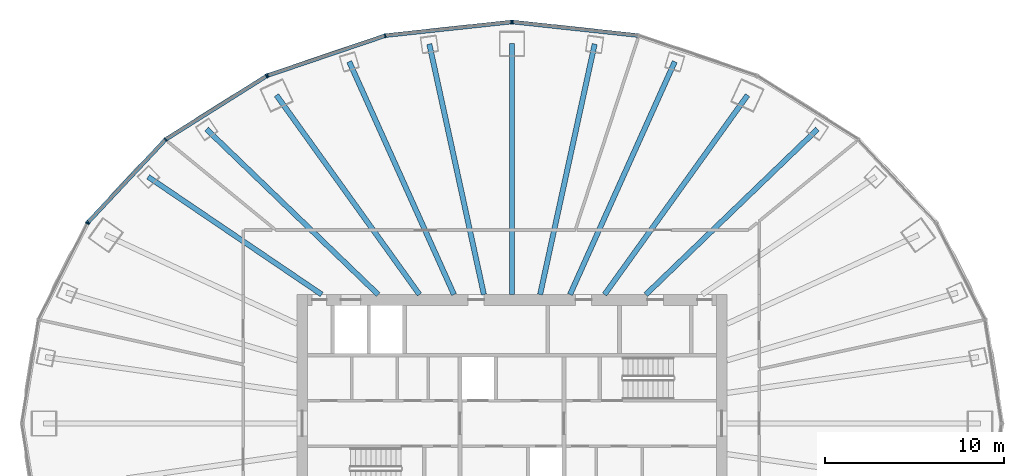
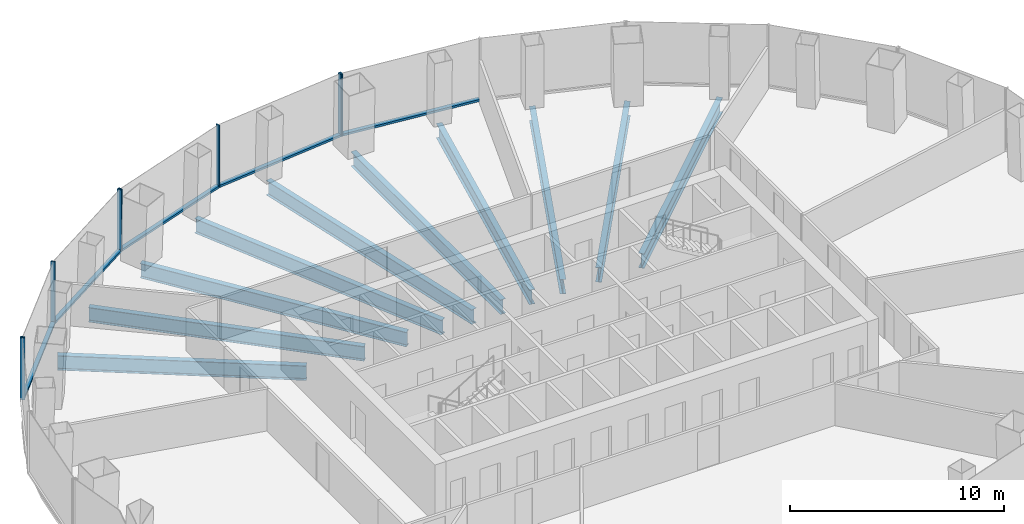
# One storey, part 5 of 11: 13 members, 10 beams, 4 elements without a shape of their own.
"""IFC4 building model written with IfcOpenShell, lengths in metres."""

import ifcopenshell
import ifcopenshell.guid

model = None  # the IFC model being written
_history = None  # IfcOwnerHistory: only IFC2X3 demands one
_inside = {}  # id of a spatial element -> (the spatial element, [elements in it])
_under = {}  # id of a project, library or spatial element -> (it, [spatial elements below it])
_declared = {}  # id of a project -> (the project, [libraries it declares])
_typed = {}  # id of a type object -> (the type object, [elements of that type])
_made_of = {}  # id of a material, layer set ... -> (it, [elements and type objects made of it])


def new_model(schema):
    """Start an empty IFC model of exactly this schema.

    Asked for "IFC4X3", IfcOpenShell would pick the latest addendum, in which some entities
    have other attributes; the version numbers below select the first issue.
    IFC2X3 requires an IfcOwnerHistory on every rooted entity: one is made here for all.
    """
    global model, _history
    if schema == "IFC4X3":
        model = ifcopenshell.file(schema_version=(4, 3, 0, 0))
    else:
        model = ifcopenshell.file(schema=schema)
    _inside.clear()
    _under.clear()
    _declared.clear()
    _typed.clear()
    _made_of.clear()
    _history = None
    if model.schema == "IFC2X3":
        org = make("IfcOrganization", Name="unknown")
        user = make(
            "IfcPersonAndOrganization",
            ThePerson=make("IfcPerson", FamilyName="unknown"),
            TheOrganization=org,
        )
        app = make(
            "IfcApplication",
            ApplicationDeveloper=org,
            Version="unknown",
            ApplicationFullName="unknown",
            ApplicationIdentifier="unknown",
        )
        _history = make(
            "IfcOwnerHistory",
            OwningUser=user,
            OwningApplication=app,
            ChangeAction="ADDED",
            CreationDate=0,
        )
    return model


def make(cls, **values):
    """One entity of the class cls with the attributes given. An attribute that is None is left unset."""
    return model.create_entity(
        cls, **{name: value for name, value in values.items() if value is not None}
    )


def rooted(cls, **values):
    """An entity with a GlobalId (a new one), such as an element, a storey or a relation."""
    return make(cls, GlobalId=ifcopenshell.guid.new(), OwnerHistory=_history, **values)


def si_unit(unit_type, name, prefix=None):
    """IfcSIUnit, for example si_unit("LENGTHUNIT", "METRE", prefix="MILLI")."""
    return make("IfcSIUnit", UnitType=unit_type, Prefix=prefix, Name=name)


def assignment(units):
    """IfcUnitAssignment: the units of a project."""
    return None if units is None else make("IfcUnitAssignment", Units=units)


def point(xyz):
    """IfcCartesianPoint."""
    return None if xyz is None else make("IfcCartesianPoint", Coordinates=xyz)


def direction(xyz):
    """IfcDirection."""
    return None if xyz is None else make("IfcDirection", DirectionRatios=xyz)


def frame(location, z_axis=None, x_axis=None):
    """IfcAxis2Placement3D, a coordinate frame: its origin and axes. An axis left out is left unset."""
    return make(
        "IfcAxis2Placement3D",
        Location=point(location),
        Axis=direction(z_axis),
        RefDirection=direction(x_axis),
    )


def frame_2d(location, x_axis=None):
    """IfcAxis2Placement2D, a coordinate frame in the plane: its origin and x axis."""
    return make(
        "IfcAxis2Placement2D", Location=point(location), RefDirection=direction(x_axis)
    )


def origin():
    """The frame at (0, 0, 0) with its axes left unset."""
    return frame((0.0, 0.0, 0.0))


def origin_2d():
    """The frame at (0, 0) in the plane with its x axis left unset."""
    return frame_2d((0.0, 0.0))


def place(relative_to, where):
    """IfcLocalPlacement: puts the frame where relative to a parent placement (None: the world)."""
    return make(
        "IfcLocalPlacement", PlacementRelTo=relative_to, RelativePlacement=where
    )


def context(
    kind, dimensions, precision=None, world=None, true_north=None, identifier=None
):
    """IfcGeometricRepresentationContext, for example the 3D "Model" context."""
    return make(
        "IfcGeometricRepresentationContext",
        ContextIdentifier=identifier,
        ContextType=kind,
        CoordinateSpaceDimension=dimensions,
        Precision=precision,
        WorldCoordinateSystem=world,
        TrueNorth=true_north,
    )


def subcontext(parent, identifier, kind, view, scale=None):
    """IfcGeometricRepresentationSubContext, for example "Body" below "Model"."""
    return make(
        "IfcGeometricRepresentationSubContext",
        ContextIdentifier=identifier,
        ContextType=kind,
        ParentContext=parent,
        TargetScale=scale,
        TargetView=view,
    )


def project(units=None, contexts=None):
    """IfcProject with its units and contexts."""
    return rooted(
        "IfcProject",
        Name="project",
        RepresentationContexts=contexts,
        UnitsInContext=assignment(units),
    )


def spatial(cls, under=None, at=None, **own):
    """A site, building, storey or space (cls), placed at a placement, below another one or the project."""
    s = rooted(cls, ObjectPlacement=at, **own)
    if under is not None:
        _under.setdefault(under.id(), (under, []))[1].append(s)
    return s


def profile(cls, at=None, kind="AREA", **sizes):
    """A parametric profile (cls). Its sizes go by their IFC names, for example OverallWidth=200.0."""
    return make(cls, ProfileType=kind, Position=at, **sizes)


def rectangle(**sizes):
    """IfcRectangleProfileDef."""
    return profile("IfcRectangleProfileDef", **sizes)


def i_section(**sizes):
    """IfcIShapeProfileDef."""
    return profile("IfcIShapeProfileDef", **sizes)


def extrude(swept, where, along, depth):
    """IfcExtrudedAreaSolid: the profile swept, set in the frame where, extruded along a direction by depth."""
    return make(
        "IfcExtrudedAreaSolid",
        SweptArea=swept,
        Position=where,
        ExtrudedDirection=direction(along),
        Depth=depth,
    )


def shape(context_of_items, identifier, shape_type, items):
    """IfcShapeRepresentation: the items that make up one representation, for example the "Body"."""
    return make(
        "IfcShapeRepresentation",
        ContextOfItems=context_of_items,
        RepresentationIdentifier=identifier,
        RepresentationType=shape_type,
        Items=items,
    )


def material(Name=None, Category=None):
    """IfcMaterial."""
    return make("IfcMaterial", Name=Name, Category=Category)


def layer(
    of_material, thickness, ventilated=None, Name=None, Category=None, Priority=None
):
    """IfcMaterialLayer: one layer of a wall or slab, of a material (None: an air gap)."""
    return make(
        "IfcMaterialLayer",
        Material=of_material,
        LayerThickness=thickness,
        IsVentilated=ventilated,
        Name=Name,
        Category=Category,
        Priority=Priority,
    )


def layer_set(layers, Name=None):
    """IfcMaterialLayerSet."""
    return make("IfcMaterialLayerSet", MaterialLayers=layers, LayerSetName=Name)


def material_profile(
    of_material, cross_section, Name=None, Category=None, Priority=None
):
    """IfcMaterialProfile: a cross section and its material."""
    return make(
        "IfcMaterialProfile",
        Name=Name,
        Material=of_material,
        Profile=cross_section,
        Priority=Priority,
        Category=Category,
    )


def profile_set(profiles, Name=None, composite=None):
    """IfcMaterialProfileSet."""
    return make(
        "IfcMaterialProfileSet",
        Name=Name,
        MaterialProfiles=profiles,
        CompositeProfile=composite,
    )


def made_of(thing, what):
    """Note that an element or type object is made of a material, layer set ...; save() writes the relation."""
    if what is not None:
        _made_of.setdefault(what.id(), (what, []))[1].append(thing)
    return thing


def type_object(cls, material=None, **own):
    """A type object (cls), such as IfcWallType, which elements share."""
    return made_of(rooted(cls, **own), material)


def element(
    cls,
    number,
    at=None,
    inside=None,
    cuts=None,
    type_object=None,
    material=None,
    context=None,
    identifier="Body",
    shape_type=None,
    held_by="IfcProductDefinitionShape",
    body=None,
    shapes=None,
    **own,
):
    """One element of the class cls, such as IfcWall. Its Tag is "e" and its number.

    at: its placement. inside: the storey or other place that contains it. cuts: it is an
    opening in that element (IfcRelVoidsElement). A single representation is given by context,
    identifier, shape_type and body (its items); several are given by shapes. held_by: the class
    of the entity that holds the representations. save() writes the other relations.
    """
    e = rooted(cls, Tag="e%d" % number, ObjectPlacement=at, **own)
    if body is not None:
        shapes = [shape(context, identifier, shape_type, body)]
    if shapes is not None:
        e.Representation = make(held_by, Representations=shapes)
    if inside is not None:
        _inside.setdefault(inside.id(), (inside, []))[1].append(e)
    if cuts is not None:
        rooted(
            "IfcRelVoidsElement", RelatingBuildingElement=cuts, RelatedOpeningElement=e
        )
    if type_object is not None:
        _typed.setdefault(type_object.id(), (type_object, []))[1].append(e)
    return made_of(e, material)


def aggregate(whole, parts):
    """IfcRelAggregates: a whole, such as a stair, and the parts it consists of."""
    return rooted("IfcRelAggregates", RelatingObject=whole, RelatedObjects=parts)


def save(model, path):
    """Write the relations noted so far, then the file.

    IfcRelAggregates (storeys below a building ...), IfcRelContainedInSpatialStructure (elements
    in a storey), IfcRelDefinesByType, IfcRelAssociatesMaterial and IfcRelDeclares: one each for
    every whole, place, type object, material and project.
    """
    for whole, parts in _under.values():
        aggregate(whole, parts)
    for where, things in _inside.values():
        rooted(
            "IfcRelContainedInSpatialStructure",
            RelatedElements=things,
            RelatingStructure=where,
        )
    for kind, things in _typed.values():
        rooted("IfcRelDefinesByType", RelatedObjects=things, RelatingType=kind)
    for what, things in _made_of.values():
        rooted("IfcRelAssociatesMaterial", RelatedObjects=things, RelatingMaterial=what)
    for by, libraries in _declared.values():
        rooted("IfcRelDeclares", RelatingContext=by, RelatedDefinitions=libraries)
    model.write(path)


model = new_model("IFC4")

# Units and contexts
model_context = context("Model", 3, precision=1e-05, world=origin(), true_north=direction((0.0, 1.0)))
body_context = subcontext(model_context, "Body", "Model", "MODEL_VIEW")
ifc_project = project(units=[si_unit("LENGTHUNIT", "METRE"), si_unit("AREAUNIT", "SQUARE_METRE"), si_unit("VOLUMEUNIT", "CUBIC_METRE"), si_unit("PLANEANGLEUNIT", "RADIAN"), si_unit("MASSUNIT", "GRAM", prefix="KILO")], contexts=[model_context])

# Site, building, storey
site_placement = place(None, origin())
site = spatial("IfcSite", under=ifc_project, at=site_placement, CompositionType="ELEMENT")
building_placement = place(site_placement, origin())
building = spatial("IfcBuilding", under=site, at=building_placement, Name="Siaravel Broadcast Tower", CompositionType="ELEMENT")
storey_placement = place(building_placement, frame((0.0, 0.0, 66.699951171875)))
storey = spatial("IfcBuildingStorey", under=building, at=storey_placement, Name="L15", CompositionType="ELEMENT", Elevation=66.699951171875)

# Beams
ifc_material_1 = material(Name="Steel S355", Category="steel")
ifc_material_profile_1 = material_profile(ifc_material_1, i_section(OverallWidth=0.291748046875, OverallDepth=0.8349609375, WebThickness=0.013916015625, FlangeThickness=0.018798828125, FilletRadius=0.017822265625, at=origin_2d()))
ifc_profile_set_1 = profile_set([ifc_material_profile_1], Name="Steel S355")
beam_type = type_object("IfcBeamType", Name="BM-UB 838x292x176", PredefinedType="BEAM", material=ifc_profile_set_1)
beam_1_placement = place(storey_placement, frame((17.052490234375, 16.42919921875, -0.5673828125), z_axis=(-0.720143916, -0.693824718, 0.0), x_axis=(0.693824718, -0.720143916, 0.0)))
element("IfcBeam", 1, at=beam_1_placement, inside=storey, type_object=beam_type, Name="Radial beam RB06", PredefinedType="BEAM", context=body_context, shape_type="SweptSolid", body=[
    extrude(i_section(OverallWidth=0.291748046875, OverallDepth=0.8349609375, WebThickness=0.013916015625, FlangeThickness=0.018798828125, FilletRadius=0.017822265625, at=origin_2d()), origin(), (0.0, 0.0, 1.0), 13.302001953125),
])
beam_2_placement = place(storey_placement, frame((13.146484375, 18.324462890625, -0.5673828125), z_axis=(-0.582923743, -0.812526867, 0.0), x_axis=(0.812526867, -0.582923743, 0.0)))
element("IfcBeam", 2, at=beam_2_placement, inside=storey, type_object=beam_type, Name="Radial beam RB07", PredefinedType="BEAM", context=body_context, shape_type="SweptSolid", body=[
    extrude(i_section(OverallWidth=0.291748046875, OverallDepth=0.8349609375, WebThickness=0.013916015625, FlangeThickness=0.018798828125, FilletRadius=0.017822265625, at=origin_2d()), origin(), (0.0, 0.0, 1.0), 13.691162109375),
])
beam_3_placement = place(storey_placement, frame((9.0859375, 20.195556640625, -0.5673828125), z_axis=(-0.410286316, -0.911956764, 0.0), x_axis=(0.911956764, -0.410286316, 0.0)))
element("IfcBeam", 3, at=beam_3_placement, inside=storey, type_object=beam_type, Name="Radial beam RB08", PredefinedType="BEAM", context=body_context, shape_type="SweptSolid", body=[
    extrude(i_section(OverallWidth=0.291748046875, OverallDepth=0.8349609375, WebThickness=0.013916015625, FlangeThickness=0.018798828125, FilletRadius=0.017822265625, at=origin_2d()), origin(), (0.0, 0.0, 1.0), 14.250244140625),
])
beam_4_placement = place(storey_placement, frame((4.61474609375, 21.1767578125, -0.5673828125), z_axis=(-0.212911439, -0.977071502, 0.0), x_axis=(0.977071502, -0.212911439, 0.0)))
element("IfcBeam", 4, at=beam_4_placement, inside=storey, type_object=beam_type, Name="Radial beam RB09", PredefinedType="BEAM", context=body_context, shape_type="SweptSolid", body=[
    extrude(i_section(OverallWidth=0.291748046875, OverallDepth=0.8349609375, WebThickness=0.013916015625, FlangeThickness=0.018798828125, FilletRadius=0.017822265625, at=origin_2d()), origin(), (0.0, 0.0, 1.0), 14.3046875),
])
beam_5_placement = place(storey_placement, frame((0.0, 21.20751953125, -0.5673828125), z_axis=(0.0, -1.0, 0.0), x_axis=(1.0, 0.0, 0.0)))
element("IfcBeam", 5, at=beam_5_placement, inside=storey, type_object=beam_type, Name="Radial beam RB10", PredefinedType="BEAM", context=body_context, shape_type="SweptSolid", body=[
    extrude(i_section(OverallWidth=0.291748046875, OverallDepth=0.8349609375, WebThickness=0.013916015625, FlangeThickness=0.018798828125, FilletRadius=0.017822265625, at=origin_2d()), origin(), (0.0, 0.0, 1.0), 14.007568359375),
])
beam_6_placement = place(storey_placement, frame((-4.61474609375, 21.1767578125, -0.5673828125), z_axis=(0.212911439, -0.977071502, 0.0), x_axis=(0.977071502, 0.212911439, 0.0)))
element("IfcBeam", 6, at=beam_6_placement, inside=storey, type_object=beam_type, Name="Radial beam RB11", PredefinedType="BEAM", context=body_context, shape_type="SweptSolid", body=[
    extrude(i_section(OverallWidth=0.291748046875, OverallDepth=0.8349609375, WebThickness=0.013916015625, FlangeThickness=0.018798828125, FilletRadius=0.017822265625, at=origin_2d()), origin(), (0.0, 0.0, 1.0), 14.3046875),
])
beam_7_placement = place(storey_placement, frame((-9.0859375, 20.195556640625, -0.5673828125), z_axis=(0.410286316, -0.911956764, 0.0), x_axis=(0.911956764, 0.410286316, 0.0)))
element("IfcBeam", 7, at=beam_7_placement, inside=storey, type_object=beam_type, Name="Radial beam RB12", PredefinedType="BEAM", context=body_context, shape_type="SweptSolid", body=[
    extrude(i_section(OverallWidth=0.291748046875, OverallDepth=0.8349609375, WebThickness=0.013916015625, FlangeThickness=0.018798828125, FilletRadius=0.017822265625, at=origin_2d()), origin(), (0.0, 0.0, 1.0), 14.250244140625),
])
beam_8_placement = place(storey_placement, frame((-13.146484375, 18.324462890625, -0.5673828125), z_axis=(0.582923743, -0.812526867, 0.0), x_axis=(0.812526867, 0.582923743, 0.0)))
element("IfcBeam", 8, at=beam_8_placement, inside=storey, type_object=beam_type, Name="Radial beam RB13", PredefinedType="BEAM", context=body_context, shape_type="SweptSolid", body=[
    extrude(i_section(OverallWidth=0.291748046875, OverallDepth=0.8349609375, WebThickness=0.013916015625, FlangeThickness=0.018798828125, FilletRadius=0.017822265625, at=origin_2d()), origin(), (0.0, 0.0, 1.0), 13.691162109375),
])
beam_9_placement = place(storey_placement, frame((-17.052490234375, 16.42919921875, -0.5673828125), z_axis=(0.720143916, -0.693824718, 0.0), x_axis=(0.693824718, 0.720143916, 0.0)))
element("IfcBeam", 9, at=beam_9_placement, inside=storey, type_object=beam_type, Name="Radial beam RB14", PredefinedType="BEAM", context=body_context, shape_type="SweptSolid", body=[
    extrude(i_section(OverallWidth=0.291748046875, OverallDepth=0.8349609375, WebThickness=0.013916015625, FlangeThickness=0.018798828125, FilletRadius=0.017822265625, at=origin_2d()), origin(), (0.0, 0.0, 1.0), 13.302001953125),
])
beam_10_placement = place(storey_placement, frame((-20.303466796875, 13.7666015625, -0.5673828125), z_axis=(0.827675152, -0.561207486, 0.0), x_axis=(0.561207486, 0.827675152, 0.0)))
element("IfcBeam", 10, at=beam_10_placement, inside=storey, type_object=beam_type, Name="Radial beam RB15", PredefinedType="BEAM", context=body_context, shape_type="SweptSolid", body=[
    extrude(i_section(OverallWidth=0.291748046875, OverallDepth=0.8349609375, WebThickness=0.013916015625, FlangeThickness=0.018798828125, FilletRadius=0.017822265625, at=origin_2d()), origin(), (0.0, 0.0, 1.0), 11.700927734375),
])

# Curtain wall, member
ifc_material_2 = material(Name="Aluminium 6063-T6", Category="aluminium")
ifc_layer = layer(ifc_material_2, 0.219970703125)
ifc_layer_set = layer_set([ifc_layer], Name="Aluminium 6063-T6")
curtain_wall_type = type_object("IfcCurtainWallType", Name="Unitised curtain wall, zone 1", PredefinedType="NOTDEFINED", material=ifc_layer_set)
curtain_wall_1_placement = place(storey_placement, origin())
curtain_wall_1 = element("IfcCurtainWall", 11, at=curtain_wall_1_placement, inside=storey, type_object=curtain_wall_type, Name="L15 Unitised curtain wall, zone 1 03", PredefinedType="NOTDEFINED")
ifc_material_profile_2 = material_profile(ifc_material_2, rectangle(XDim=0.219970703125, YDim=0.070068359375, at=origin_2d()))
ifc_profile_set_2 = profile_set([ifc_material_profile_2], Name="Aluminium 6063-T6")
member_type_1 = type_object("IfcMemberType", Name="CW-Z1 mullion", PredefinedType="MULLION", material=ifc_profile_set_2)
member_1_placement = place(storey_placement, frame((0.034912109375, 22.406005859375, 0.0), z_axis=(0.0, 0.0, 1.0), x_axis=(-0.107217176, -0.994235625, 0.0)))
member_1 = element("IfcMember", 12, at=member_1_placement, type_object=member_type_1, Name="CW-Z1 mullion 3", PredefinedType="MULLION", context=body_context, shape_type="SweptSolid", body=[
    extrude(rectangle(XDim=0.219970703125, YDim=0.070068359375, at=origin_2d()), origin(), (0.0, 0.0, 1.0), 3.550048828125),
])

# Curtain wall, members
curtain_wall_2_placement = place(storey_placement, origin())
curtain_wall_2 = element("IfcCurtainWall", 13, at=curtain_wall_2_placement, inside=storey, type_object=curtain_wall_type, Name="L15 Unitised curtain wall, zone 1 04", PredefinedType="NOTDEFINED")
member_2_placement = place(storey_placement, frame((-0.034912109375, 22.406005859375, 0.0), z_axis=(0.0, 0.0, 1.0), x_axis=(0.107217176, -0.994235625, 0.0)))
member_2 = element("IfcMember", 14, at=member_2_placement, type_object=member_type_1, Name="CW-Z1 mullion 1", PredefinedType="MULLION", context=body_context, shape_type="SweptSolid", body=[
    extrude(rectangle(XDim=0.219970703125, YDim=0.070068359375, at=origin_2d()), origin(), (0.0, 0.0, 1.0), 3.550048828125),
])
member_3_placement = place(storey_placement, frame((-7.075927734375, 21.646728515625, 0.0), z_axis=(0.0, 0.0, 1.0), x_axis=(0.215557455, -0.976491159, 0.0)))
member_3 = element("IfcMember", 15, at=member_3_placement, type_object=member_type_1, Name="CW-Z1 mullion 2", PredefinedType="MULLION", context=body_context, shape_type="SweptSolid", body=[
    extrude(rectangle(XDim=0.219970703125, YDim=0.070068359375, at=origin_2d()), origin(), (0.0, 0.0, 1.0), 3.550048828125),
])
member_4_placement = place(storey_placement, frame((-13.63720703125, 19.420654296875, 0.0), z_axis=(0.0, 0.0, 1.0), x_axis=(0.321299732, -0.946977551, 0.0)))
member_4 = element("IfcMember", 16, at=member_4_placement, type_object=member_type_1, Name="CW-Z1 mullion 3", PredefinedType="MULLION", context=body_context, shape_type="SweptSolid", body=[
    extrude(rectangle(XDim=0.219970703125, YDim=0.070068359375, at=origin_2d()), origin(), (0.0, 0.0, 1.0), 3.550048828125),
])

curtain_wall_3_placement = place(storey_placement, origin())
curtain_wall_3 = element("IfcCurtainWall", 17, at=curtain_wall_3_placement, inside=storey, type_object=curtain_wall_type, Name="L15 Unitised curtain wall, zone 1 05", PredefinedType="NOTDEFINED")
member_5_placement = place(storey_placement, frame((-13.699951171875, 19.390869140625, 0.0), z_axis=(0.0, 0.0, 1.0), x_axis=(0.532147932, -0.846651392, 0.0)))
member_5 = element("IfcMember", 18, at=member_5_placement, type_object=member_type_1, Name="CW-Z1 mullion 1", PredefinedType="MULLION", context=body_context, shape_type="SweptSolid", body=[
    extrude(rectangle(XDim=0.219970703125, YDim=0.070068359375, at=origin_2d()), origin(), (0.0, 0.0, 1.0), 3.550048828125),
])
member_6_placement = place(storey_placement, frame((-19.333984375, 15.849609375, 0.0), z_axis=(0.0, 0.0, 1.0), x_axis=(0.636217305, -0.77150991, 0.0)))
member_6 = element("IfcMember", 19, at=member_6_placement, type_object=member_type_1, Name="CW-Z1 mullion 2", PredefinedType="MULLION", context=body_context, shape_type="SweptSolid", body=[
    extrude(rectangle(XDim=0.219970703125, YDim=0.070068359375, at=origin_2d()), origin(), (0.0, 0.0, 1.0), 3.550048828125),
])
member_7_placement = place(storey_placement, frame((-23.657470703125, 11.234375, 0.0), z_axis=(0.0, 0.0, 1.0), x_axis=(0.729803931, -0.683656509, 0.0)))
member_7 = element("IfcMember", 20, at=member_7_placement, type_object=member_type_1, Name="CW-Z1 mullion 3", PredefinedType="MULLION", context=body_context, shape_type="SweptSolid", body=[
    extrude(rectangle(XDim=0.219970703125, YDim=0.070068359375, at=origin_2d()), origin(), (0.0, 0.0, 1.0), 3.550048828125),
])

# Curtain wall, member
curtain_wall_4_placement = place(storey_placement, origin())
curtain_wall_4 = element("IfcCurtainWall", 21, at=curtain_wall_4_placement, inside=storey, type_object=curtain_wall_type, Name="L15 Unitised curtain wall, zone 1 06", PredefinedType="NOTDEFINED")
member_8_placement = place(storey_placement, frame((-23.697265625, 11.177490234375, 0.0), z_axis=(0.0, 0.0, 1.0), x_axis=(0.892391293, -0.451262428, 0.0)))
member_8 = element("IfcMember", 22, at=member_8_placement, type_object=member_type_1, Name="CW-Z1 mullion 1", PredefinedType="MULLION", context=body_context, shape_type="SweptSolid", body=[
    extrude(rectangle(XDim=0.219970703125, YDim=0.070068359375, at=origin_2d()), origin(), (0.0, 0.0, 1.0), 3.550048828125),
])
aggregate(curtain_wall_4, [member_8])

# Member
ifc_material_profile_3 = material_profile(ifc_material_2, rectangle(XDim=0.219970703125, YDim=0.1201171875, at=origin_2d()))
ifc_profile_set_3 = profile_set([ifc_material_profile_3], Name="Aluminium 6063-T6")
member_type_2 = type_object("IfcMemberType", Name="CW-Z1 transom", PredefinedType="USERDEFINED", material=ifc_profile_set_3)
member_9_placement = place(storey_placement, frame((7.041015625, 21.650634765625, 0.06005859375), z_axis=(-0.994236875, 0.10720558, 0.0), x_axis=(-0.10720558, -0.994236875, 0.0)))
member_9 = element("IfcMember", 23, at=member_9_placement, type_object=member_type_2, Name="CW-Z1 transom 2", ObjectType="TRANSOM", PredefinedType="USERDEFINED", context=body_context, shape_type="SweptSolid", body=[
    extrude(rectangle(XDim=0.219970703125, YDim=0.1201171875, at=origin_2d()), origin(), (0.0, 0.0, 1.0), 7.011962890625),
])

aggregate(curtain_wall_1, [member_1, member_9])

member_10_placement = place(storey_placement, frame((-0.069580078125, 22.40234375, 0.06005859375), z_axis=(-0.994236875, -0.10720558, 0.0), x_axis=(0.10720558, -0.994236875, 0.0)))
member_10 = element("IfcMember", 24, at=member_10_placement, type_object=member_type_2, Name="CW-Z1 transom 1", ObjectType="TRANSOM", PredefinedType="USERDEFINED", context=body_context, shape_type="SweptSolid", body=[
    extrude(rectangle(XDim=0.219970703125, YDim=0.1201171875, at=origin_2d()), origin(), (0.0, 0.0, 1.0), 7.011962890625),
])

member_11_placement = place(storey_placement, frame((-7.109130859375, 21.635498046875, 0.06005859375), z_axis=(-0.946978894, -0.321295775, 0.0), x_axis=(0.321295775, -0.946978894, 0.0)))
member_11 = element("IfcMember", 25, at=member_11_placement, type_object=member_type_2, Name="CW-Z1 transom 2", ObjectType="TRANSOM", PredefinedType="USERDEFINED", context=body_context, shape_type="SweptSolid", body=[
    extrude(rectangle(XDim=0.219970703125, YDim=0.1201171875, at=origin_2d()), origin(), (0.0, 0.0, 1.0), 6.8583984375),
])

aggregate(curtain_wall_2, [member_2, member_3, member_4, member_10, member_11])

member_12_placement = place(storey_placement, frame((-13.7294921875, 19.372314453125, 0.06005859375), z_axis=(-0.846643708, -0.532160155, 0.0), x_axis=(0.532160155, -0.846643708, 0.0)))
member_12 = element("IfcMember", 26, at=member_12_placement, type_object=member_type_2, Name="CW-Z1 transom 1", ObjectType="TRANSOM", PredefinedType="USERDEFINED", context=body_context, shape_type="SweptSolid", body=[
    extrude(rectangle(XDim=0.219970703125, YDim=0.1201171875, at=origin_2d()), origin(), (0.0, 0.0, 1.0), 6.584716796875),
])

member_13_placement = place(storey_placement, frame((-19.358154296875, 15.823974609375, 0.06005859375), z_axis=(-0.683638503, -0.729820798, 0.0), x_axis=(0.729820798, -0.683638503, 0.0)))
member_13 = element("IfcMember", 27, at=member_13_placement, type_object=member_type_2, Name="CW-Z1 transom 2", ObjectType="TRANSOM", PredefinedType="USERDEFINED", context=body_context, shape_type="SweptSolid", body=[
    extrude(rectangle(XDim=0.219970703125, YDim=0.1201171875, at=origin_2d()), origin(), (0.0, 0.0, 1.0), 6.25390625),
])

aggregate(curtain_wall_3, [member_5, member_6, member_7, member_12, member_13])

save(model, "model.ifc")
